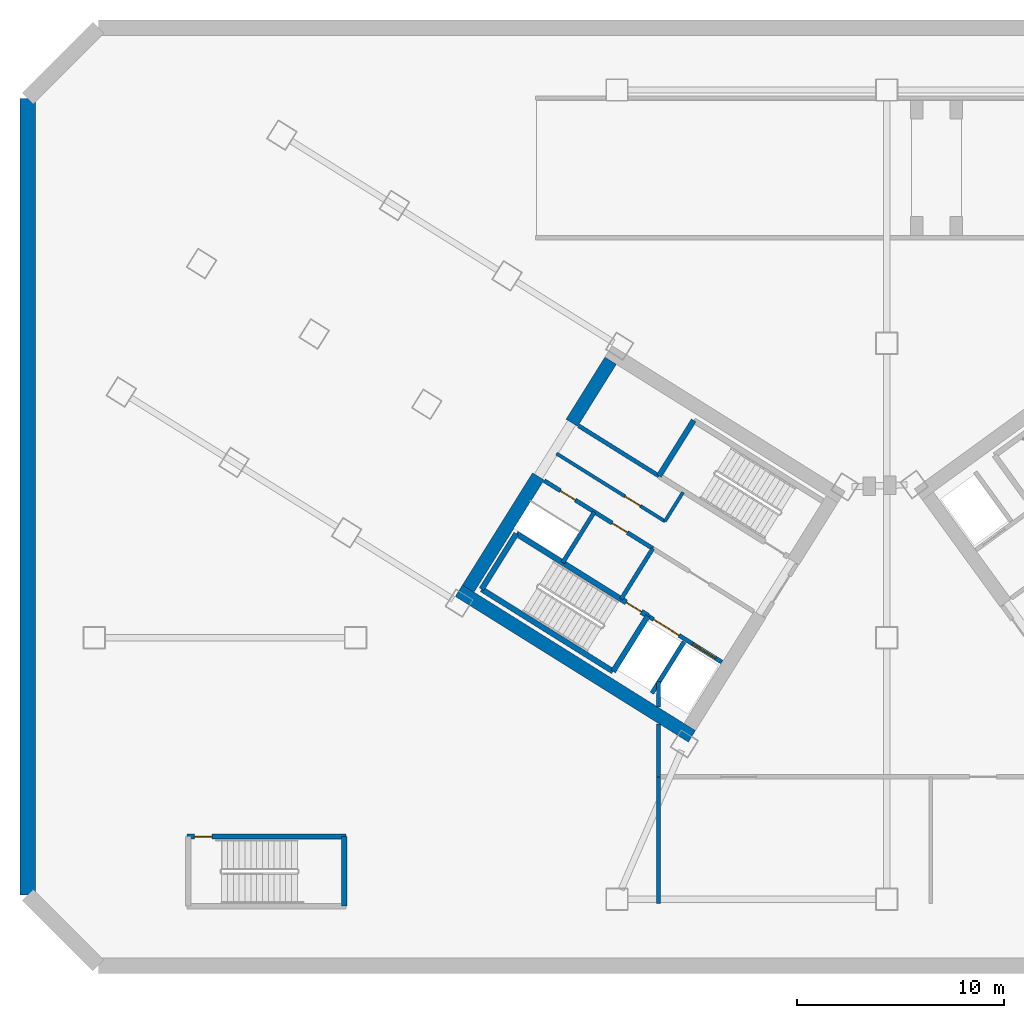
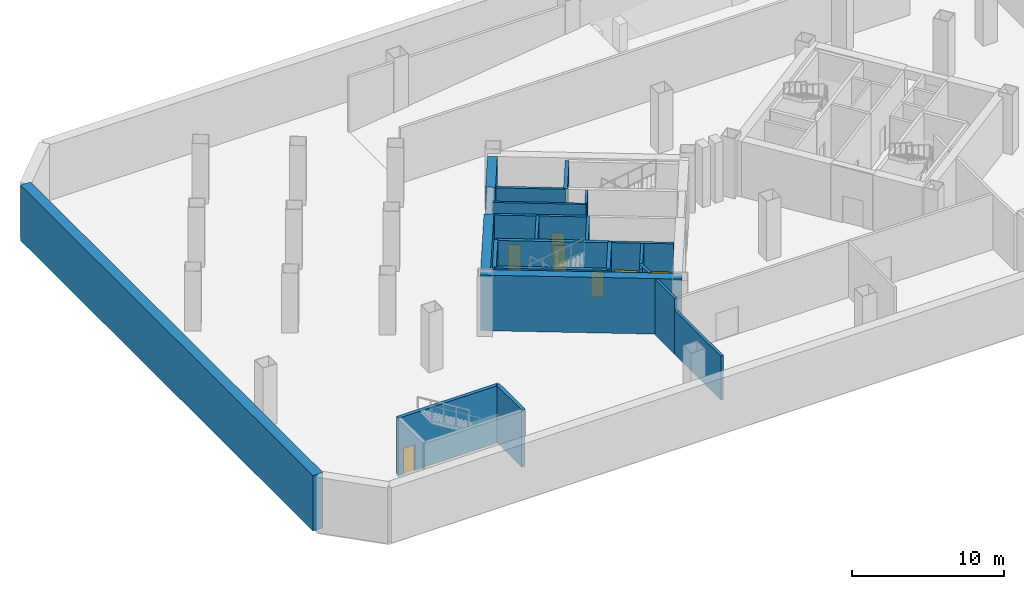
# One storey, part 2 of 9: 22 walls, 7 doors, 7 openings.
"""IFC4 building model written with IfcOpenShell, lengths in metres."""

from ifc_helpers import new_model, si_unit, direction, frame, frame_2d, origin, place, context, subcontext, project, spatial, rectangle, extrude, source, transform, mapped, material, layer, layer_set, type_object, element, fill, save


model = new_model("IFC4")

# Units and contexts
model_context = context("Model", 3, precision=1e-05, world=origin(), true_north=direction((0.0, 1.0)))
body_context = subcontext(model_context, "Body", "Model", "MODEL_VIEW")
ifc_project = project(units=[si_unit("LENGTHUNIT", "METRE"), si_unit("AREAUNIT", "SQUARE_METRE"), si_unit("VOLUMEUNIT", "CUBIC_METRE"), si_unit("PLANEANGLEUNIT", "RADIAN"), si_unit("MASSUNIT", "GRAM", prefix="KILO")], contexts=[model_context])

# Site, building, storey
site_placement = place(None, origin())
site = spatial("IfcSite", under=ifc_project, at=site_placement, CompositionType="ELEMENT")
building_placement = place(site_placement, origin())
building = spatial("IfcBuilding", under=site, at=building_placement, Name="Tlacorven Tower", CompositionType="ELEMENT")
storey_placement = place(building_placement, frame((0.0, 0.0, -4.800048828125)))
storey = spatial("IfcBuildingStorey", under=building, at=storey_placement, Name="B1", CompositionType="ELEMENT", Elevation=-4.800048828125)

# Walls
ifc_material_1 = material(Name="Concrete C60/75", Category="concrete")
ifc_layer_1 = layer(ifc_material_1, 0.64990234375)
ifc_layer_set_1 = layer_set([ifc_layer_1], Name="Concrete C60/75")
wall_type_1 = type_object("IfcWallType", Name="WL-COR-650", PredefinedType="SHEAR", material=ifc_layer_set_1)
wall_1_placement = place(storey_placement, frame((33.40869140625, 12.449951171875, 0.0), z_axis=(0.0, 0.0, 1.0), x_axis=(-0.848051132073, 0.529914405721, 0.0)))
element("IfcWall", 1, at=wall_1_placement, inside=storey, type_object=wall_type_1, Name="B1 W core shear wall S2", PredefinedType="SHEAR", context=body_context, shape_type="SweptSolid", body=[
    extrude(rectangle(XDim=13.239990234375, YDim=0.64990234375, at=frame_2d((6.6201171875, 0.0))), origin(), (0.0, 0.0, 1.0), 4.449951171875),
])
wall_2_placement = place(storey_placement, frame((29.49072265625, 30.5517578125, 0.0), z_axis=(0.0, 0.0, 1.0), x_axis=(-0.529893103397, -0.8480644427, 0.0)))
element("IfcWall", 2, at=wall_2_placement, inside=storey, type_object=wall_type_1, Name="B1 W core end wall E2.1", PredefinedType="SHEAR", context=body_context, shape_type="SweptSolid", body=[
    extrude(rectangle(XDim=3.525146484375, YDim=0.64990234375, at=frame_2d((1.7626953125, 0.0))), origin(), (0.0, 0.0, 1.0), 4.449951171875),
])
wall_3_placement = place(storey_placement, frame((26.006591796875, 24.975830078125, 0.0), z_axis=(0.0, 0.0, 1.0), x_axis=(-0.529916319127, -0.848049936456, 0.0)))
element("IfcWall", 3, at=wall_3_placement, inside=storey, type_object=wall_type_1, Name="B1 W core end wall E2.2", PredefinedType="SHEAR", context=body_context, shape_type="SweptSolid", body=[
    extrude(rectangle(XDim=6.375, YDim=0.64990234375, at=frame_2d((3.1875, 0.0))), origin(), (0.0, 0.0, 1.0), 4.449951171875),
])

# Wall, opening, door
ifc_material_2 = material(Name="Gypsum plasterboard acoustic partition", Category="gypsum")
ifc_layer_2 = layer(ifc_material_2, 0.159912109375)
ifc_layer_set_2 = layer_set([ifc_layer_2], Name="Gypsum plasterboard acoustic partition")
wall_type_2 = type_object("IfcWallType", Name="WL-DEM-160", PredefinedType="PARTITIONING", material=ifc_layer_set_2)
wall_4_placement = place(storey_placement, frame((32.108154296875, 22.81396484375, 0.0), z_axis=(0.0, 0.0, 1.0), x_axis=(-0.848047283855, 0.529920564185, 0.0)))
wall_4 = element("IfcWall", 4, at=wall_4_placement, inside=storey, type_object=wall_type_2, Name="B1 partition 11", PredefinedType="PARTITIONING", context=body_context, shape_type="SweptSolid", body=[
    extrude(rectangle(XDim=6.16015625, YDim=0.159912109375, at=frame_2d((3.080078125, 0.0))), origin(), (0.0, 0.0, 1.0), 4.43994140625),
])
opening_1_placement = place(wall_4_placement, frame((1.39990234375, 0.0, 0.0)))
opening_1 = element("IfcOpeningElement", 5, at=opening_1_placement, cuts=wall_4, Name="Opening D19", PredefinedType="OPENING", context=body_context, shape_type="SweptSolid", body=[
    extrude(rectangle(XDim=0.860107421875, YDim=2.050048828125, at=frame_2d((0.43017578125, 1.02490234375))), frame((0.0, 0.08984375, 0.0), z_axis=(0.0, -1.0, 0.0), x_axis=(1.0, 0.0, 0.0)), (0.0, 0.0, 1.0), 0.179931640625),
])
ifc_material_3 = material(Name="Fire-rated steel door assembly", Category="steel")
door_type_1 = type_object("IfcDoorType", Name="DR-RSR-FD60-0860", OperationType="NOTDEFINED", PredefinedType="DOOR", material=ifc_material_3)
shared_shape_1 = source(origin(), body_context, "Body", "SweptSolid", [
    extrude(rectangle(XDim=0.860107421875, YDim=2.050048828125, at=frame_2d((0.43017578125, 1.02490234375))), frame((0.0, 0.02490234375, 0.0), z_axis=(0.0, -1.0, 0.0), x_axis=(1.0, 0.0, 0.0)), (0.0, 0.0, 1.0), 0.050048828125),
])
door_1_placement = place(opening_1_placement, origin())
door_1 = element("IfcDoor", 6, at=door_1_placement, inside=storey, type_object=door_type_1, Name="B1 Freed Core Store Door", OperationType="SINGLE_SWING_RIGHT", OverallHeight=2.050048828125, OverallWidth=0.860107421875, PredefinedType="DOOR", context=body_context, shape_type="MappedRepresentation", body=[
    mapped(shared_shape_1, transform((0.0, 0.0, 0.0), scale=1.0)),
])
fill(opening_1, door_1)

# Walls
wall_5_placement = place(storey_placement, frame((32.982421875, 24.21337890625, 0.0), z_axis=(0.0, 0.0, 1.0), x_axis=(-0.529839334948, -0.84809803628, 0.0)))
element("IfcWall", 7, at=wall_5_placement, inside=storey, type_object=wall_type_2, Name="B1 partition 12", PredefinedType="PARTITIONING", context=body_context, shape_type="SweptSolid", body=[
    extrude(rectangle(XDim=1.650146484375, YDim=0.159912109375, at=frame_2d((0.8251953125, 0.0))), origin(), (0.0, 0.0, 1.0), 4.43994140625),
])
ifc_material_4 = material(Name="Concrete C50/60", Category="concrete")
ifc_layer_3 = layer(ifc_material_4, 0.75)
ifc_layer_set_3 = layer_set([ifc_layer_3], Name="Concrete C50/60")
wall_type_3 = type_object("IfcWallType", Name="WL-RET-750", PredefinedType="USERDEFINED", material=ifc_layer_set_3)
wall_6_placement = place(storey_placement, frame((1.39990234375, 43.199951171875, 0.0), z_axis=(0.0, 0.0, 1.0), x_axis=(0.0, -1.0, 0.0)))
element("IfcWall", 8, at=wall_6_placement, inside=storey, type_object=wall_type_3, Name="B1 Diaphragm Retaining Wall 7", ObjectType="RETAINING WALL", PredefinedType="USERDEFINED", context=body_context, shape_type="SweptSolid", body=[
    extrude(rectangle(XDim=38.39990234375, YDim=0.75, at=frame_2d((19.199951171875, 0.0))), origin(), (0.0, 0.0, 1.0), 4.449951171875),
])

# Wall, openings, doors
ifc_material_5 = material(Name="Concrete C40/50", Category="concrete")
ifc_layer_4 = layer(ifc_material_5, 0.199951171875)
ifc_layer_set_4 = layer_set([ifc_layer_4], Name="Concrete C40/50")
wall_type_4 = type_object("IfcWallType", Name="WL-SHF-200", PredefinedType="STANDARD", material=ifc_layer_set_4)
wall_7_placement = place(storey_placement, frame((34.84814453125, 16.03125, 0.0), z_axis=(0.0, 0.0, 1.0), x_axis=(-0.848044042236, 0.529925751807, 0.0)))
wall_7 = element("IfcWall", 9, at=wall_7_placement, inside=storey, type_object=wall_type_4, Name="B1 Core W Firefighting Lift Shaft Front Wall", PredefinedType="STANDARD", context=body_context, shape_type="SweptSolid", body=[
    extrude(rectangle(XDim=4.197998046875, YDim=0.199951171875, at=frame_2d((2.09912109375, 0.0))), origin(), (0.0, 0.0, 1.0), 4.43994140625),
])
opening_2_placement = place(wall_7_placement, frame((0.347900390625, 0.0, 0.0)))
opening_2 = element("IfcOpeningElement", 10, at=opening_2_placement, cuts=wall_7, Name="Opening LD03", PredefinedType="OPENING", context=body_context, shape_type="SweptSolid", body=[
    extrude(rectangle(XDim=1.300048828125, YDim=2.199951171875, at=frame_2d((0.64990234375, 1.10009765625))), frame((0.0, 0.10986328125, 0.0), z_axis=(0.0, -1.0, 0.0), x_axis=(1.0, 0.0, 0.0)), (0.0, 0.0, 1.0), 0.219970703125),
])
opening_3_placement = place(wall_7_placement, frame((2.423095703125, 0.0, 0.0)))
opening_3 = element("IfcOpeningElement", 11, at=opening_3_placement, cuts=wall_7, Name="Opening LD04", PredefinedType="OPENING", context=body_context, shape_type="SweptSolid", body=[
    extrude(rectangle(XDim=1.449951171875, YDim=2.25, at=frame_2d((0.72509765625, 1.125))), frame((0.0, 0.10986328125, 0.0), z_axis=(0.0, -1.0, 0.0), x_axis=(1.0, 0.0, 0.0)), (0.0, 0.0, 1.0), 0.219970703125),
])
door_type_2 = type_object("IfcDoorType", Name="DR-LFT-SLID-1300", OperationType="DOUBLE_DOOR_SLIDING", PredefinedType="DOOR", material=ifc_material_3)
shared_shape_2 = source(origin(), body_context, "Body", "SweptSolid", [
    extrude(rectangle(XDim=1.300048828125, YDim=2.199951171875, at=frame_2d((0.64990234375, 1.10009765625))), frame((0.0, 0.02490234375, 0.0), z_axis=(0.0, -1.0, 0.0), x_axis=(1.0, 0.0, 0.0)), (0.0, 0.0, 1.0), 0.050048828125),
])
door_2_placement = place(opening_2_placement, origin())
door_2 = element("IfcDoor", 12, at=door_2_placement, inside=storey, type_object=door_type_2, Name="B1 Lift FFL-W1 Sliding Landing Door", OperationType="DOUBLE_DOOR_SLIDING", OverallHeight=2.199951171875, OverallWidth=1.300048828125, PredefinedType="DOOR", context=body_context, shape_type="MappedRepresentation", body=[
    mapped(shared_shape_2, transform((0.0, 0.0, 0.0), scale=1.0)),
])
fill(opening_2, door_2)
door_type_3 = type_object("IfcDoorType", Name="DR-LFT-SLID-1450", OperationType="DOUBLE_DOOR_SLIDING", PredefinedType="DOOR", material=ifc_material_3)
shared_shape_3 = source(origin(), body_context, "Body", "SweptSolid", [
    extrude(rectangle(XDim=1.449951171875, YDim=2.25, at=frame_2d((0.72509765625, 1.125))), frame((0.0, 0.02490234375, 0.0), z_axis=(0.0, -1.0, 0.0), x_axis=(1.0, 0.0, 0.0)), (0.0, 0.0, 1.0), 0.050048828125),
])
door_3_placement = place(opening_3_placement, origin())
door_3 = element("IfcDoor", 13, at=door_3_placement, inside=storey, type_object=door_type_3, Name="B1 Lift SVL-W1 Sliding Landing Door", OperationType="DOUBLE_DOOR_SLIDING", OverallHeight=2.25, OverallWidth=1.449951171875, PredefinedType="DOOR", context=body_context, shape_type="MappedRepresentation", body=[
    mapped(shared_shape_3, transform((0.0, 0.0, 0.0), scale=1.0)),
])
fill(opening_3, door_3)

# Walls
wall_8_placement = place(storey_placement, frame((31.82177734375, 24.99755859375, 0.0), z_axis=(0.0, 0.0, 1.0), x_axis=(-0.848058348634, 0.529902856485, 0.0)))
element("IfcWall", 14, at=wall_8_placement, inside=storey, type_object=wall_type_4, Name="B1 Core W South Lift Shaft Wall", PredefinedType="STANDARD", context=body_context, shape_type="SweptSolid", body=[
    extrude(rectangle(XDim=4.568115234375, YDim=0.199951171875, at=frame_2d((2.2841796875, 0.0))), origin(), (0.0, 0.0, 1.0), 4.43994140625),
])
wall_9_placement = place(storey_placement, frame((33.02880859375, 17.003173828125, 0.0), z_axis=(0.0, 0.0, 1.0), x_axis=(-0.529916267533, -0.848049968695, 0.0)))
element("IfcWall", 15, at=wall_9_placement, inside=storey, type_object=wall_type_4, Name="B1 partition 13", PredefinedType="STANDARD", context=body_context, shape_type="SweptSolid", body=[
    extrude(rectangle(XDim=2.919921875, YDim=0.199951171875, at=frame_2d((1.4599609375, 0.0))), origin(), (0.0, 0.0, 1.0), 4.43994140625),
])
for number, where, z_axis, x_axis, name in (
    (16, (31.525146484375, 21.503662109375, 0.0), (0.0, 0.0, 1.0), (-0.529907497854, -0.848055448493, 0.0), "B1 partition 14"),
    (17, (28.709716796875, 23.26318359375, 0.0), (0.0, 0.0, 1.0), (-0.529907497854, -0.848055448493, 0.0), "B1 partition 15"),
):
    element("IfcWall", number, at=place(storey_placement, frame(where, z_axis=z_axis, x_axis=x_axis)), inside=storey, type_object=wall_type_4, Name=name, PredefinedType="STANDARD", context=body_context, shape_type="SweptSolid", body=[
        extrude(rectangle(XDim=2.8798828125, YDim=0.199951171875, at=frame_2d((1.43994140625, 0.0))), origin(), (0.0, 0.0, 1.0), 4.43994140625),
    ])

# Wall, openings, doors
wall_10_placement = place(storey_placement, frame((31.525146484375, 21.503662109375, 0.0), z_axis=(0.0, 0.0, 1.0), x_axis=(-0.848044998614, 0.529924221305, 0.0)))
wall_10 = element("IfcWall", 18, at=wall_10_placement, inside=storey, type_object=wall_type_4, Name="B1 Core W North Service Wall", PredefinedType="STANDARD", context=body_context, shape_type="SweptSolid", body=[
    extrude(rectangle(XDim=6.16796875, YDim=0.199951171875, at=frame_2d((3.083984375, 0.0))), origin(), (0.0, 0.0, 1.0), 4.43994140625),
])
opening_4_placement = place(wall_10_placement, frame((4.39990234375, 0.0, 0.0)))
opening_4 = element("IfcOpeningElement", 19, at=opening_4_placement, cuts=wall_10, Name="Opening D19", PredefinedType="OPENING", context=body_context, shape_type="SweptSolid", body=[
    extrude(rectangle(XDim=0.860107421875, YDim=2.050048828125, at=frame_2d((0.43017578125, 1.02490234375))), frame((0.0, 0.10986328125, 0.0), z_axis=(0.0, -1.0, 0.0), x_axis=(1.0, 0.0, 0.0)), (0.0, 0.0, 1.0), 0.219970703125),
])
opening_5_placement = place(wall_10_placement, frame((1.449951171875, 0.0, 0.0)))
opening_5 = element("IfcOpeningElement", 20, at=opening_5_placement, cuts=wall_10, Name="Opening D19", PredefinedType="OPENING", context=body_context, shape_type="SweptSolid", body=[
    extrude(rectangle(XDim=0.860107421875, YDim=2.050048828125, at=frame_2d((0.43017578125, 1.02490234375))), frame((0.0, 0.10986328125, 0.0), z_axis=(0.0, -1.0, 0.0), x_axis=(1.0, 0.0, 0.0)), (0.0, 0.0, 1.0), 0.219970703125),
])
door_4_placement = place(opening_4_placement, frame((0.860107421875, 0.0, 0.0), z_axis=(0.0, 0.0, 1.0), x_axis=(-1.0, 0.0, 0.0)))
door_4 = element("IfcDoor", 21, at=door_4_placement, inside=storey, type_object=door_type_1, Name="B1 Electrical Riser Access Door W", OperationType="SINGLE_SWING_LEFT", OverallHeight=2.050048828125, OverallWidth=0.860107421875, PredefinedType="DOOR", context=body_context, shape_type="MappedRepresentation", body=[
    mapped(shared_shape_1, transform((0.0, 0.0, 0.0), scale=1.0)),
])
fill(opening_4, door_4)
door_5_placement = place(opening_5_placement, frame((0.860107421875, 0.0, 0.0), z_axis=(0.0, 0.0, 1.0), x_axis=(-1.0, 0.0, 0.0)))
door_5 = element("IfcDoor", 22, at=door_5_placement, inside=storey, type_object=door_type_1, Name="B1 Housekeeping Linen Access Door W", OperationType="SINGLE_SWING_RIGHT", OverallHeight=2.050048828125, OverallWidth=0.860107421875, PredefinedType="DOOR", context=body_context, shape_type="MappedRepresentation", body=[
    mapped(shared_shape_1, transform((0.0, 0.0, 0.0), scale=1.0)),
])
fill(opening_5, door_5)

# Walls
wall_11_placement = place(storey_placement, frame((31.800048828125, 10.5, 0.0), z_axis=(0.0, 0.0, 1.0), x_axis=(0.0, 1.0, 0.0)))
element("IfcWall", 23, at=wall_11_placement, inside=storey, type_object=wall_type_4, Name="B1 partition 52", PredefinedType="STANDARD", context=body_context, shape_type="SweptSolid", body=[
    extrude(rectangle(XDim=2.5400390625, YDim=0.199951171875, at=frame_2d((1.27001953125, 0.0))), origin(), (0.0, 0.0, 1.0), 4.43994140625),
])
wall_12_placement = place(storey_placement, frame((31.800048828125, 13.8701171875, 0.0), z_axis=(0.0, 0.0, 1.0), x_axis=(0.0, 1.0, 0.0)))
element("IfcWall", 24, at=wall_12_placement, inside=storey, type_object=wall_type_4, Name="B1 partition 52", PredefinedType="STANDARD", context=body_context, shape_type="SweptSolid", body=[
    extrude(rectangle(XDim=1.22998046875, YDim=0.199951171875, at=frame_2d((0.614990234375, 0.0))), origin(), (0.0, 0.0, 1.0), 4.43994140625),
])
wall_13_placement = place(storey_placement, frame((31.800048828125, 4.39990234375, 0.0), z_axis=(0.0, 0.0, 1.0), x_axis=(0.0, 1.0, 0.0)))
element("IfcWall", 25, at=wall_13_placement, inside=storey, type_object=wall_type_4, Name="B1 partition 56", PredefinedType="STANDARD", context=body_context, shape_type="SweptSolid", body=[
    extrude(rectangle(XDim=6.10009765625, YDim=0.199951171875, at=frame_2d((3.050048828125, 0.0))), origin(), (0.0, 0.0, 1.0), 3.525146484375),
])
ifc_layer_5 = layer(ifc_material_4, 0.260009765625)
ifc_layer_set_5 = layer_set([ifc_layer_5], Name="Concrete C50/60")
wall_type_5 = type_object("IfcWallType", Name="WL-STW-260", PredefinedType="SHEAR", material=ifc_layer_set_5)
wall_14_placement = place(storey_placement, frame((29.60498046875, 15.581298828125, 0.0), z_axis=(0.0, 0.0, 1.0), x_axis=(-0.848036911448, 0.529937163087, 0.0)))
element("IfcWall", 26, at=wall_14_placement, inside=storey, type_object=wall_type_5, Name="B1 Stair W1 Far Shear Wall", PredefinedType="SHEAR", context=body_context, shape_type="SweptSolid", body=[
    extrude(rectangle(XDim=7.4599609375, YDim=0.260009765625, at=frame_2d((3.72998046875, 0.0))), origin(), (0.0, 0.0, 1.0), 4.449951171875),
])

# Wall, opening, door
wall_15_placement = place(storey_placement, frame((31.279541015625, 18.26123046875, 0.0), z_axis=(0.0, 0.0, 1.0), x_axis=(-0.848051618787, 0.529913626805, 0.0)))
wall_15 = element("IfcWall", 27, at=wall_15_placement, inside=storey, type_object=wall_type_5, Name="B1 Stair W1 Lobby Shear Wall", PredefinedType="SHEAR", context=body_context, shape_type="SweptSolid", body=[
    extrude(rectangle(XDim=7.4599609375, YDim=0.260009765625, at=frame_2d((3.72998046875, 0.0))), origin(), (0.0, 0.0, 1.0), 4.449951171875),
])
opening_6_placement = place(wall_15_placement, frame((0.360107421875, 0.0, 0.0)))
opening_6 = element("IfcOpeningElement", 28, at=opening_6_placement, cuts=wall_15, Name="Opening D19", PredefinedType="OPENING", context=body_context, shape_type="SweptSolid", body=[
    extrude(rectangle(XDim=0.860107421875, YDim=2.050048828125, at=frame_2d((0.43017578125, 1.02490234375))), frame((0.0, 0.14013671875, 0.0), z_axis=(0.0, -1.0, 0.0), x_axis=(1.0, 0.0, 0.0)), (0.0, 0.0, 1.0), 0.280029296875),
])
door_6_placement = place(opening_6_placement, frame((0.860107421875, 0.0, 0.0), z_axis=(0.0, 0.0, 1.0), x_axis=(-1.0, 0.0, 0.0)))
door_6 = element("IfcDoor", 29, at=door_6_placement, inside=storey, type_object=door_type_1, Name="B1 Exit Stair W1 Fire Door", OperationType="SINGLE_SWING_LEFT", OverallHeight=2.050048828125, OverallWidth=0.860107421875, PredefinedType="DOOR", context=body_context, shape_type="MappedRepresentation", body=[
    mapped(shared_shape_1, transform((0.0, 0.0, 0.0), scale=1.0)),
])
fill(opening_6, door_6)

# Walls
wall_16_placement = place(storey_placement, frame((31.2880859375, 18.255859375, 0.0), z_axis=(0.0, 0.0, 1.0), x_axis=(-0.529943379326, -0.848033026897, 0.0)))
element("IfcWall", 30, at=wall_16_placement, inside=storey, type_object=wall_type_5, Name="B1 Stair W1 West Shear Wall", PredefinedType="SHEAR", context=body_context, shape_type="SweptSolid", body=[
    extrude(rectangle(XDim=3.159912109375, YDim=0.260009765625, at=frame_2d((1.580078125, 0.0))), origin(), (0.0, 0.0, 1.0), 4.449951171875),
])
for number, where, z_axis, x_axis, name in (
    (31, (24.944580078125, 22.2197265625, 0.0), (0.0, 0.0, 1.0), (-0.529908658664, -0.84805472316, 0.0), "B1 Stair W1 East Shear Wall"),
    (32, (33.496337890625, 27.677490234375, 0.0), (0.0, 0.0, 1.0), (-0.529908658664, -0.84805472316, 0.0), "B1 Stair W2 East Shear Wall"),
):
    element("IfcWall", number, at=place(storey_placement, frame(where, z_axis=z_axis, x_axis=x_axis)), inside=storey, type_object=wall_type_5, Name=name, PredefinedType="SHEAR", context=body_context, shape_type="SweptSolid", body=[
        extrude(rectangle(XDim=3.16015625, YDim=0.260009765625, at=frame_2d((1.580078125, 0.0))), origin(), (0.0, 0.0, 1.0), 4.449951171875),
    ])

# Wall, opening, door
wall_17_placement = place(storey_placement, frame((9.070068359375, 7.6201171875, 0.0), z_axis=(0.0, 0.0, 1.0), x_axis=(1.0, 0.0, 0.0)))
wall_17 = element("IfcWall", 33, at=wall_17_placement, inside=storey, type_object=wall_type_5, Name="B1 Stair P1 North Wall", PredefinedType="SHEAR", context=body_context, shape_type="SweptSolid", body=[
    extrude(rectangle(XDim=7.659912109375, YDim=0.260009765625, at=frame_2d((3.830078125, 0.0))), origin(), (0.0, 0.0, 1.0), 4.60009765625),
])
opening_7_placement = place(wall_17_placement, frame((0.360107421875, 0.0, 0.0)))
opening_7 = element("IfcOpeningElement", 34, at=opening_7_placement, cuts=wall_17, Name="Opening D19", PredefinedType="OPENING", context=body_context, shape_type="SweptSolid", body=[
    extrude(rectangle(XDim=0.860107421875, YDim=2.050048828125, at=frame_2d((0.43017578125, 1.02490234375))), frame((0.0, 0.14013671875, 0.0), z_axis=(0.0, -1.0, 0.0), x_axis=(1.0, 0.0, 0.0)), (0.0, 0.0, 1.0), 0.280029296875),
])
door_7_placement = place(opening_7_placement, origin())
door_7 = element("IfcDoor", 35, at=door_7_placement, inside=storey, type_object=door_type_1, Name="B1 door 025", OperationType="SINGLE_SWING_LEFT", OverallHeight=2.050048828125, OverallWidth=0.860107421875, PredefinedType="DOOR", context=body_context, shape_type="MappedRepresentation", body=[
    mapped(shared_shape_1, transform((0.0, 0.0, 0.0), scale=1.0)),
])
fill(opening_7, door_7)

# Wall
wall_18_placement = place(storey_placement, frame((16.659912109375, 4.260009765625, 0.0), z_axis=(0.0, 0.0, 1.0), x_axis=(0.0, 1.0, 0.0)))
element("IfcWall", 36, at=wall_18_placement, inside=storey, type_object=wall_type_5, Name="B1 Stair P1 East Wall", PredefinedType="SHEAR", context=body_context, shape_type="SweptSolid", body=[
    extrude(rectangle(XDim=3.360107421875, YDim=0.260009765625, at=frame_2d((1.68017578125, 0.0))), origin(), (0.0, 0.0, 1.0), 4.60009765625),
])

save(model, "model.ifc")
